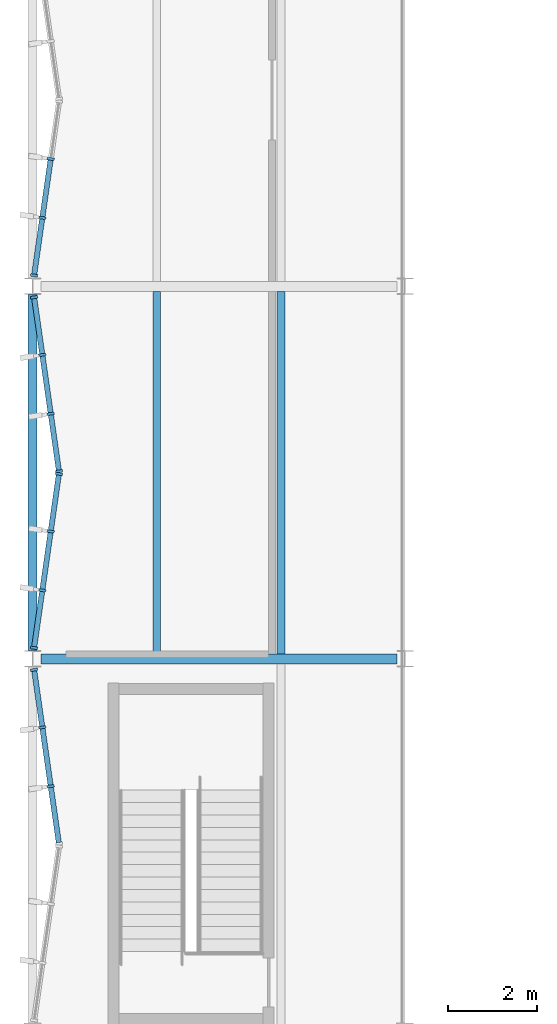
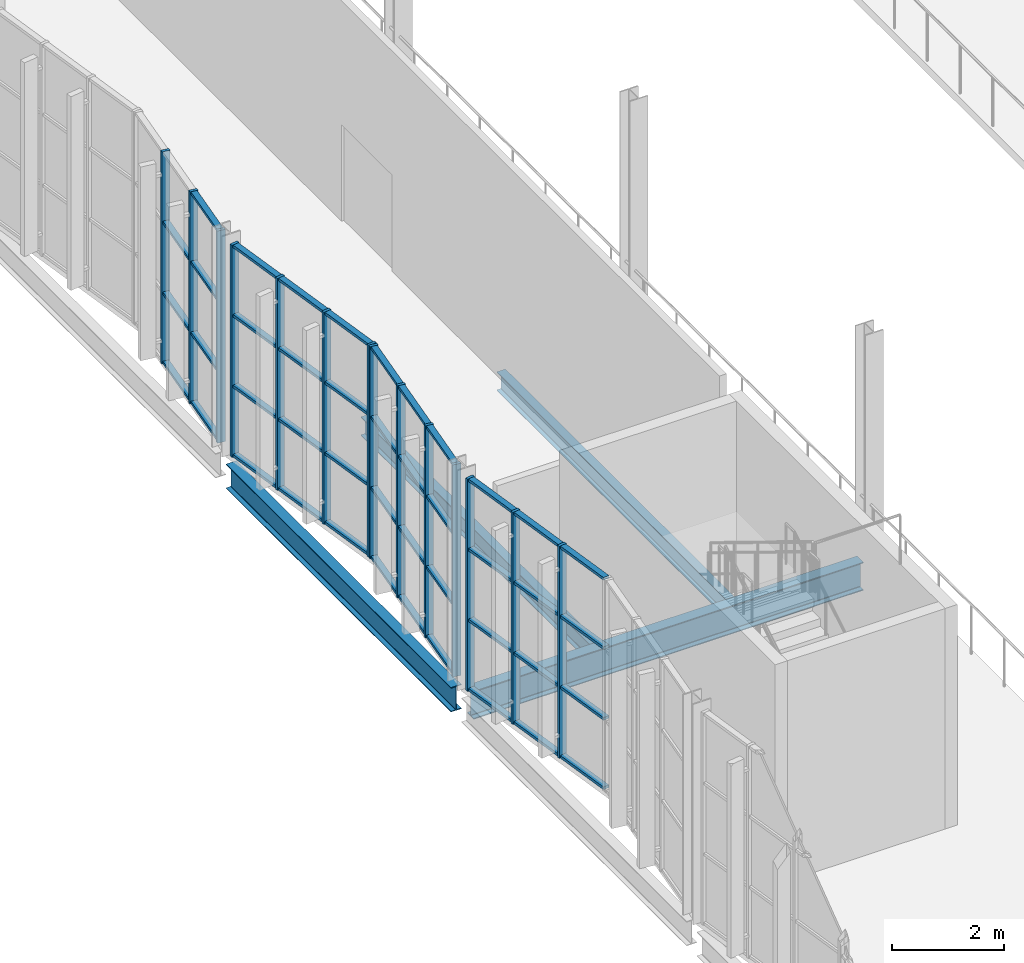
# One storey, part 30 of 127: 57 members, 4 beams, 4 elements without a shape of their own.
"""IFC4 building model written with IfcOpenShell, lengths in metres."""

from ifc_helpers import new_model, si_unit, direction, frame, origin, origin_2d, place, context, subcontext, project, spatial, rectangle, i_section, extrude, material, material_profile, profile_set, type_object, element, aggregate, save


model = new_model("IFC4")

# Units and contexts
model_context = context("Model", 3, precision=1e-05, world=origin(), true_north=direction((0.0, 1.0)))
body_context = subcontext(model_context, "Body", "Model", "MODEL_VIEW")
ifc_project = project(units=[si_unit("LENGTHUNIT", "METRE"), si_unit("AREAUNIT", "SQUARE_METRE"), si_unit("VOLUMEUNIT", "CUBIC_METRE"), si_unit("PLANEANGLEUNIT", "RADIAN"), si_unit("MASSUNIT", "GRAM", prefix="KILO")], contexts=[model_context])

# Site, building, storey
site_placement = place(None, origin())
site = spatial("IfcSite", under=ifc_project, at=site_placement, CompositionType="ELEMENT")
building_placement = place(site_placement, origin())
building = spatial("IfcBuilding", under=site, at=building_placement, Name="Ljudholm Concert House", CompositionType="ELEMENT")
storey_placement = place(building_placement, frame((0.0, 0.0, 5.39990234375)))
storey = spatial("IfcBuildingStorey", under=building, at=storey_placement, Name="L01", CompositionType="ELEMENT", Elevation=5.39990234375)

# Curtain wall, members
ifc_material_1 = material(Name="Aluminium curtain wall with impact-rated laminated glass", Category="aluminium")
curtain_wall_type = type_object("IfcCurtainWallType", Name="CURTAIN WALL 1400", PredefinedType="NOTDEFINED", material=ifc_material_1)
curtain_wall_1_placement = place(storey_placement, origin())
curtain_wall_1 = element("IfcCurtainWall", 1, at=curtain_wall_1_placement, inside=storey, type_object=curtain_wall_type, Name="Facade curtain wall", PredefinedType="NOTDEFINED")
ifc_material_2 = material(Name="Aluminium extrusion", Category="aluminium")
ifc_material_profile_1 = material_profile(ifc_material_2, rectangle(XDim=0.159912109375, YDim=0.06005859375, at=origin_2d()), Name="MULLION 60x160")
ifc_profile_set_1 = profile_set([ifc_material_profile_1], Name="Aluminium extrusion")
member_type_1 = type_object("IfcMemberType", Name="MULLION 60x160", PredefinedType="MULLION", material=ifc_profile_set_1)
member_1_placement = place(storey_placement, frame((4.410400390625, 68.327392578125, 0.0), z_axis=(0.0, 0.0, 1.0), x_axis=(-0.989949493647, -0.141421356338, 0.0)))
member_1 = element("IfcMember", 2, at=member_1_placement, type_object=member_type_1, Name="Mullion", PredefinedType="MULLION", context=body_context, shape_type="SweptSolid", body=[
    extrude(rectangle(XDim=0.159912109375, YDim=0.06005859375, at=origin_2d()), origin(), (0.0, 0.0, 1.0), 4.6201171875),
])
member_2_placement = place(storey_placement, frame((4.220703125, 69.65478515625, 0.0), z_axis=(0.0, 0.0, 1.0), x_axis=(-0.989949493647, -0.141421356338, 0.0)))
member_2 = element("IfcMember", 3, at=member_2_placement, type_object=member_type_1, Name="Mullion", PredefinedType="MULLION", context=body_context, shape_type="SweptSolid", body=[
    extrude(rectangle(XDim=0.159912109375, YDim=0.06005859375, at=origin_2d()), origin(), (0.0, 0.0, 1.0), 4.6201171875),
])
member_3_placement = place(storey_placement, frame((4.035400390625, 70.952392578125, 0.0), z_axis=(0.0, 0.0, 1.0), x_axis=(-0.989949493647, -0.141421356338, 0.0)))
member_3 = element("IfcMember", 4, at=member_3_placement, type_object=member_type_1, Name="Mullion", PredefinedType="MULLION", context=body_context, shape_type="SweptSolid", body=[
    extrude(rectangle(XDim=0.159912109375, YDim=0.06005859375, at=origin_2d()), origin(), (0.0, 0.0, 1.0), 4.6201171875),
])

curtain_wall_2_placement = place(storey_placement, origin())
curtain_wall_2 = element("IfcCurtainWall", 5, at=curtain_wall_2_placement, inside=storey, type_object=curtain_wall_type, Name="Facade curtain wall", PredefinedType="NOTDEFINED")
member_4_placement = place(storey_placement, frame((4.035400390625, 71.447509765625, 0.0), z_axis=(0.0, 0.0, 1.0), x_axis=(-0.989949493647, 0.141421356338, 0.0)))
member_4 = element("IfcMember", 6, at=member_4_placement, type_object=member_type_1, Name="Mullion", PredefinedType="MULLION", context=body_context, shape_type="SweptSolid", body=[
    extrude(rectangle(XDim=0.159912109375, YDim=0.06005859375, at=origin_2d()), origin(), (0.0, 0.0, 1.0), 4.6201171875),
])
member_5_placement = place(storey_placement, frame((4.220703125, 72.7451171875, 0.0), z_axis=(0.0, 0.0, 1.0), x_axis=(-0.989949493647, 0.141421356338, 0.0)))
member_5 = element("IfcMember", 7, at=member_5_placement, type_object=member_type_1, Name="Mullion", PredefinedType="MULLION", context=body_context, shape_type="SweptSolid", body=[
    extrude(rectangle(XDim=0.159912109375, YDim=0.06005859375, at=origin_2d()), origin(), (0.0, 0.0, 1.0), 4.6201171875),
])
member_6_placement = place(storey_placement, frame((4.410400390625, 74.072509765625, 0.0), z_axis=(0.0, 0.0, 1.0), x_axis=(-0.989949493647, 0.141421356338, 0.0)))
member_6 = element("IfcMember", 8, at=member_6_placement, type_object=member_type_1, Name="Mullion", PredefinedType="MULLION", context=body_context, shape_type="SweptSolid", body=[
    extrude(rectangle(XDim=0.159912109375, YDim=0.06005859375, at=origin_2d()), origin(), (0.0, 0.0, 1.0), 4.6201171875),
])
member_7_placement = place(storey_placement, frame((4.595703125, 75.370361328125, 0.0), z_axis=(0.0, 0.0, 1.0), x_axis=(-0.989949493647, 0.141421356338, 0.0)))
member_7 = element("IfcMember", 9, at=member_7_placement, type_object=member_type_1, Name="Mullion", PredefinedType="MULLION", context=body_context, shape_type="SweptSolid", body=[
    extrude(rectangle(XDim=0.159912109375, YDim=0.06005859375, at=origin_2d()), origin(), (0.0, 0.0, 1.0), 4.6201171875),
])

curtain_wall_3_placement = place(storey_placement, origin())
curtain_wall_3 = element("IfcCurtainWall", 10, at=curtain_wall_3_placement, inside=storey, type_object=curtain_wall_type, Name="Facade curtain wall", PredefinedType="NOTDEFINED")
member_8_placement = place(storey_placement, frame((4.595703125, 75.4296875, 0.0), z_axis=(0.0, 0.0, 1.0), x_axis=(-0.989949493647, -0.141421356338, 0.0)))
member_8 = element("IfcMember", 11, at=member_8_placement, type_object=member_type_1, Name="Mullion", PredefinedType="MULLION", context=body_context, shape_type="SweptSolid", body=[
    extrude(rectangle(XDim=0.159912109375, YDim=0.06005859375, at=origin_2d()), origin(), (0.0, 0.0, 1.0), 4.6201171875),
])
member_9_placement = place(storey_placement, frame((4.410400390625, 76.727294921875, 0.0), z_axis=(0.0, 0.0, 1.0), x_axis=(-0.989949493647, -0.141421356338, 0.0)))
member_9 = element("IfcMember", 12, at=member_9_placement, type_object=member_type_1, Name="Mullion", PredefinedType="MULLION", context=body_context, shape_type="SweptSolid", body=[
    extrude(rectangle(XDim=0.159912109375, YDim=0.06005859375, at=origin_2d()), origin(), (0.0, 0.0, 1.0), 4.6201171875),
])
member_10_placement = place(storey_placement, frame((4.220703125, 78.0546875, 0.0), z_axis=(0.0, 0.0, 1.0), x_axis=(-0.989949493647, -0.141421356338, 0.0)))
member_10 = element("IfcMember", 13, at=member_10_placement, type_object=member_type_1, Name="Mullion", PredefinedType="MULLION", context=body_context, shape_type="SweptSolid", body=[
    extrude(rectangle(XDim=0.159912109375, YDim=0.06005859375, at=origin_2d()), origin(), (0.0, 0.0, 1.0), 4.6201171875),
])
member_11_placement = place(storey_placement, frame((4.035400390625, 79.3525390625, 0.0), z_axis=(0.0, 0.0, 1.0), x_axis=(-0.989949493647, -0.141421356338, 0.0)))
member_11 = element("IfcMember", 14, at=member_11_placement, type_object=member_type_1, Name="Mullion", PredefinedType="MULLION", context=body_context, shape_type="SweptSolid", body=[
    extrude(rectangle(XDim=0.159912109375, YDim=0.06005859375, at=origin_2d()), origin(), (0.0, 0.0, 1.0), 4.6201171875),
])

curtain_wall_4_placement = place(storey_placement, origin())
curtain_wall_4 = element("IfcCurtainWall", 15, at=curtain_wall_4_placement, inside=storey, type_object=curtain_wall_type, Name="Facade curtain wall", PredefinedType="NOTDEFINED")
member_12_placement = place(storey_placement, frame((4.035400390625, 79.847412109375, 0.0), z_axis=(0.0, 0.0, 1.0), x_axis=(-0.989949493647, 0.141421356338, 0.0)))
member_12 = element("IfcMember", 16, at=member_12_placement, type_object=member_type_1, Name="Mullion", PredefinedType="MULLION", context=body_context, shape_type="SweptSolid", body=[
    extrude(rectangle(XDim=0.159912109375, YDim=0.06005859375, at=origin_2d()), origin(), (0.0, 0.0, 1.0), 4.6201171875),
])
member_13_placement = place(storey_placement, frame((4.220703125, 81.145263671875, 0.0), z_axis=(0.0, 0.0, 1.0), x_axis=(-0.989949493647, 0.141421356338, 0.0)))
member_13 = element("IfcMember", 17, at=member_13_placement, type_object=member_type_1, Name="Mullion", PredefinedType="MULLION", context=body_context, shape_type="SweptSolid", body=[
    extrude(rectangle(XDim=0.159912109375, YDim=0.06005859375, at=origin_2d()), origin(), (0.0, 0.0, 1.0), 4.6201171875),
])
member_14_placement = place(storey_placement, frame((4.410400390625, 82.47265625, 0.0), z_axis=(0.0, 0.0, 1.0), x_axis=(-0.989949493647, 0.141421356338, 0.0)))
member_14 = element("IfcMember", 18, at=member_14_placement, type_object=member_type_1, Name="Mullion", PredefinedType="MULLION", context=body_context, shape_type="SweptSolid", body=[
    extrude(rectangle(XDim=0.159912109375, YDim=0.06005859375, at=origin_2d()), origin(), (0.0, 0.0, 1.0), 4.6201171875),
])

# Beams
ifc_material_3 = material(Name="Steel ASTM A992", Category="steel")
ifc_material_profile_2 = material_profile(ifc_material_3, i_section(OverallWidth=0.177734375, OverallDepth=0.406494140625, WebThickness=0.0078125, FlangeThickness=0.012939453125, FilletRadius=0.01025390625, at=origin_2d()), Name="W16X40")
ifc_profile_set_2 = profile_set([ifc_material_profile_2], Name="Steel ASTM A992")
beam_type_1 = type_object("IfcBeamType", Name="STEEL BEAM W16X40", PredefinedType="BEAM", material=ifc_profile_set_2)
for number, where, z_axis, x_axis, name in (
    (19, (6.800048828125, 71.314453125, -0.383056640625), (0.0, 1.0, 0.0), (-1.0, 0.0, 0.0), "Secondary beam"),
    (20, (9.60009765625, 71.314453125, -0.383056640625), (0.0, 1.0, 0.0), (-1.0, 0.0, 0.0), "Secondary beam"),
):
    element("IfcBeam", number, at=place(storey_placement, frame(where, z_axis=z_axis, x_axis=x_axis)), inside=storey, type_object=beam_type_1, Name=name, PredefinedType="BEAM", context=body_context, shape_type="SweptSolid", body=[
        extrude(i_section(OverallWidth=0.177734375, OverallDepth=0.406494140625, WebThickness=0.0078125, FlangeThickness=0.012939453125, FilletRadius=0.01025390625, at=origin_2d()), origin(), (0.0, 0.0, 1.0), 8.1708984375),
    ])
ifc_material_4 = material(Name="Steel ASTM A992", Category="steel")
ifc_material_profile_3 = material_profile(ifc_material_4, i_section(OverallWidth=0.209228515625, OverallDepth=0.533447265625, WebThickness=0.01025390625, FlangeThickness=0.015625, FilletRadius=0.012939453125, at=origin_2d()), Name="W21X62")
ifc_profile_set_3 = profile_set([ifc_material_profile_3], Name="Steel ASTM A992")
beam_type_2 = type_object("IfcBeamType", Name="STEEL BEAM W21X62", PredefinedType="BEAM", material=ifc_profile_set_3)
beam_1_placement = place(storey_placement, frame((4.0, 71.38671875, -0.446533203125), z_axis=(0.0, 1.0, 0.0), x_axis=(-1.0, 0.0, 0.0)))
element("IfcBeam", 21, at=beam_1_placement, inside=storey, type_object=beam_type_2, Name="Floor edge beam", PredefinedType="BEAM", context=body_context, shape_type="SweptSolid", body=[
    extrude(i_section(OverallWidth=0.209228515625, OverallDepth=0.533447265625, WebThickness=0.01025390625, FlangeThickness=0.015625, FilletRadius=0.012939453125, at=origin_2d()), origin(), (0.0, 0.0, 1.0), 8.026611328125),
])
ifc_material_5 = material(Name="Steel ASTM A992", Category="steel")
ifc_material_profile_4 = material_profile(ifc_material_5, i_section(OverallWidth=0.22900390625, OverallDepth=0.612060546875, WebThickness=0.011962890625, FlangeThickness=0.01953125, FilletRadius=0.0126953125, at=origin_2d()), Name="W24X84")
ifc_profile_set_4 = profile_set([ifc_material_profile_4], Name="Steel ASTM A992")
beam_type_3 = type_object("IfcBeamType", Name="STEEL BEAM W24X84", PredefinedType="BEAM", material=ifc_profile_set_4)
beam_2_placement = place(storey_placement, frame((4.186767578125, 71.199951171875, -0.486083984375), z_axis=(1.0, 0.0, 0.0), x_axis=(0.0, 1.0, 0.0)))
element("IfcBeam", 22, at=beam_2_placement, inside=storey, type_object=beam_type_3, Name="Floor girder", PredefinedType="BEAM", context=body_context, shape_type="SweptSolid", body=[
    extrude(i_section(OverallWidth=0.22900390625, OverallDepth=0.612060546875, WebThickness=0.011962890625, FlangeThickness=0.01953125, FilletRadius=0.0126953125, at=origin_2d()), origin(), (0.0, 0.0, 1.0), 8.026611328125),
])

# Member
ifc_material_6 = material(Name="Aluminium extrusion", Category="aluminium")
ifc_material_profile_5 = material_profile(ifc_material_6, rectangle(XDim=0.1201171875, YDim=0.06005859375, at=origin_2d()), Name="TRANSOM 60x120")
ifc_profile_set_5 = profile_set([ifc_material_profile_5], Name="Aluminium extrusion")
member_type_2 = type_object("IfcMemberType", Name="TRANSOM 60x120", PredefinedType="USERDEFINED", material=ifc_profile_set_5)
member_15_placement = place(storey_placement, frame((4.591552734375, 67.059326171875, 0.030029296875), z_axis=(-0.141503330095, 0.989937779647, 0.0), x_axis=(-0.989937779647, -0.141503330095, 0.0)))
member_15 = element("IfcMember", 23, at=member_15_placement, type_object=member_type_2, Name="Transom", ObjectType="TRANSOM", PredefinedType="USERDEFINED", context=body_context, shape_type="SweptSolid", body=[
    extrude(rectangle(XDim=0.1201171875, YDim=0.06005859375, at=origin_2d()), origin(), (0.0, 0.0, 1.0), 1.2509765625),
])

member_16_placement = place(storey_placement, frame((4.591552734375, 67.059326171875, 1.5400390625), z_axis=(-0.141503330095, 0.989937779647, 0.0), x_axis=(-0.989937779647, -0.141503330095, 0.0)))
member_16 = element("IfcMember", 24, at=member_16_placement, type_object=member_type_2, Name="Transom", ObjectType="TRANSOM", PredefinedType="USERDEFINED", context=body_context, shape_type="SweptSolid", body=[
    extrude(rectangle(XDim=0.1201171875, YDim=0.06005859375, at=origin_2d()), origin(), (0.0, 0.0, 1.0), 1.2509765625),
])

member_17_placement = place(storey_placement, frame((4.591552734375, 67.059326171875, 3.080078125), z_axis=(-0.141503330095, 0.989937779647, 0.0), x_axis=(-0.989937779647, -0.141503330095, 0.0)))
member_17 = element("IfcMember", 25, at=member_17_placement, type_object=member_type_2, Name="Transom", ObjectType="TRANSOM", PredefinedType="USERDEFINED", context=body_context, shape_type="SweptSolid", body=[
    extrude(rectangle(XDim=0.1201171875, YDim=0.06005859375, at=origin_2d()), origin(), (0.0, 0.0, 1.0), 1.2509765625),
])

member_18_placement = place(storey_placement, frame((4.591552734375, 67.059326171875, 4.590087890625), z_axis=(-0.141503330095, 0.989937779647, 0.0), x_axis=(-0.989937779647, -0.141503330095, 0.0)))
member_18 = element("IfcMember", 26, at=member_18_placement, type_object=member_type_2, Name="Transom", ObjectType="TRANSOM", PredefinedType="USERDEFINED", context=body_context, shape_type="SweptSolid", body=[
    extrude(rectangle(XDim=0.1201171875, YDim=0.06005859375, at=origin_2d()), origin(), (0.0, 0.0, 1.0), 1.2509765625),
])

member_19_placement = place(storey_placement, frame((4.40625, 68.357177734375, 0.030029296875), z_axis=(-0.141448044496, 0.989945680686, 0.0), x_axis=(-0.989945680686, -0.141448044496, 0.0)))
member_19 = element("IfcMember", 27, at=member_19_placement, type_object=member_type_2, Name="Transom", ObjectType="TRANSOM", PredefinedType="USERDEFINED", context=body_context, shape_type="SweptSolid", body=[
    extrude(rectangle(XDim=0.1201171875, YDim=0.06005859375, at=origin_2d()), origin(), (0.0, 0.0, 1.0), 1.28076171875),
])

member_20_placement = place(storey_placement, frame((4.40625, 68.357177734375, 1.5400390625), z_axis=(-0.141448044496, 0.989945680686, 0.0), x_axis=(-0.989945680686, -0.141448044496, 0.0)))
member_20 = element("IfcMember", 28, at=member_20_placement, type_object=member_type_2, Name="Transom", ObjectType="TRANSOM", PredefinedType="USERDEFINED", context=body_context, shape_type="SweptSolid", body=[
    extrude(rectangle(XDim=0.1201171875, YDim=0.06005859375, at=origin_2d()), origin(), (0.0, 0.0, 1.0), 1.28076171875),
])

member_21_placement = place(storey_placement, frame((4.40625, 68.357177734375, 3.080078125), z_axis=(-0.141448044496, 0.989945680686, 0.0), x_axis=(-0.989945680686, -0.141448044496, 0.0)))
member_21 = element("IfcMember", 29, at=member_21_placement, type_object=member_type_2, Name="Transom", ObjectType="TRANSOM", PredefinedType="USERDEFINED", context=body_context, shape_type="SweptSolid", body=[
    extrude(rectangle(XDim=0.1201171875, YDim=0.06005859375, at=origin_2d()), origin(), (0.0, 0.0, 1.0), 1.28076171875),
])

member_22_placement = place(storey_placement, frame((4.40625, 68.357177734375, 4.590087890625), z_axis=(-0.141448044496, 0.989945680686, 0.0), x_axis=(-0.989945680686, -0.141448044496, 0.0)))
member_22 = element("IfcMember", 30, at=member_22_placement, type_object=member_type_2, Name="Transom", ObjectType="TRANSOM", PredefinedType="USERDEFINED", context=body_context, shape_type="SweptSolid", body=[
    extrude(rectangle(XDim=0.1201171875, YDim=0.06005859375, at=origin_2d()), origin(), (0.0, 0.0, 1.0), 1.28076171875),
])

member_23_placement = place(storey_placement, frame((4.216552734375, 69.6845703125, 0.030029296875), z_axis=(-0.141503330095, 0.989937779647, 0.0), x_axis=(-0.989937779647, -0.141503330095, 0.0)))
member_23 = element("IfcMember", 31, at=member_23_placement, type_object=member_type_2, Name="Transom", ObjectType="TRANSOM", PredefinedType="USERDEFINED", context=body_context, shape_type="SweptSolid", body=[
    extrude(rectangle(XDim=0.1201171875, YDim=0.06005859375, at=origin_2d()), origin(), (0.0, 0.0, 1.0), 1.2509765625),
])

member_24_placement = place(storey_placement, frame((4.216552734375, 69.6845703125, 1.5400390625), z_axis=(-0.141503330095, 0.989937779647, 0.0), x_axis=(-0.989937779647, -0.141503330095, 0.0)))
member_24 = element("IfcMember", 32, at=member_24_placement, type_object=member_type_2, Name="Transom", ObjectType="TRANSOM", PredefinedType="USERDEFINED", context=body_context, shape_type="SweptSolid", body=[
    extrude(rectangle(XDim=0.1201171875, YDim=0.06005859375, at=origin_2d()), origin(), (0.0, 0.0, 1.0), 1.2509765625),
])

member_25_placement = place(storey_placement, frame((4.216552734375, 69.6845703125, 3.080078125), z_axis=(-0.141503330095, 0.989937779647, 0.0), x_axis=(-0.989937779647, -0.141503330095, 0.0)))
member_25 = element("IfcMember", 33, at=member_25_placement, type_object=member_type_2, Name="Transom", ObjectType="TRANSOM", PredefinedType="USERDEFINED", context=body_context, shape_type="SweptSolid", body=[
    extrude(rectangle(XDim=0.1201171875, YDim=0.06005859375, at=origin_2d()), origin(), (0.0, 0.0, 1.0), 1.2509765625),
])

member_26_placement = place(storey_placement, frame((4.216552734375, 69.6845703125, 4.590087890625), z_axis=(-0.141503330095, 0.989937779647, 0.0), x_axis=(-0.989937779647, -0.141503330095, 0.0)))
member_26 = element("IfcMember", 34, at=member_26_placement, type_object=member_type_2, Name="Transom", ObjectType="TRANSOM", PredefinedType="USERDEFINED", context=body_context, shape_type="SweptSolid", body=[
    extrude(rectangle(XDim=0.1201171875, YDim=0.06005859375, at=origin_2d()), origin(), (0.0, 0.0, 1.0), 1.2509765625),
])

aggregate(curtain_wall_1, [member_1, member_2, member_3, member_15, member_16, member_17, member_18, member_19, member_20, member_21, member_22, member_23, member_24, member_25, member_26])

member_27_placement = place(storey_placement, frame((4.03955078125, 71.477294921875, 0.030029296875), z_axis=(0.141503330095, 0.989937779647, 0.0), x_axis=(-0.989937779647, 0.141503330095, 0.0)))
member_27 = element("IfcMember", 35, at=member_27_placement, type_object=member_type_2, Name="Transom", ObjectType="TRANSOM", PredefinedType="USERDEFINED", context=body_context, shape_type="SweptSolid", body=[
    extrude(rectangle(XDim=0.1201171875, YDim=0.06005859375, at=origin_2d()), origin(), (0.0, 0.0, 1.0), 1.2509765625),
])

member_28_placement = place(storey_placement, frame((4.03955078125, 71.477294921875, 1.5400390625), z_axis=(0.141503330095, 0.989937779647, 0.0), x_axis=(-0.989937779647, 0.141503330095, 0.0)))
member_28 = element("IfcMember", 36, at=member_28_placement, type_object=member_type_2, Name="Transom", ObjectType="TRANSOM", PredefinedType="USERDEFINED", context=body_context, shape_type="SweptSolid", body=[
    extrude(rectangle(XDim=0.1201171875, YDim=0.06005859375, at=origin_2d()), origin(), (0.0, 0.0, 1.0), 1.2509765625),
])

member_29_placement = place(storey_placement, frame((4.03955078125, 71.477294921875, 3.080078125), z_axis=(0.141503330095, 0.989937779647, 0.0), x_axis=(-0.989937779647, 0.141503330095, 0.0)))
member_29 = element("IfcMember", 37, at=member_29_placement, type_object=member_type_2, Name="Transom", ObjectType="TRANSOM", PredefinedType="USERDEFINED", context=body_context, shape_type="SweptSolid", body=[
    extrude(rectangle(XDim=0.1201171875, YDim=0.06005859375, at=origin_2d()), origin(), (0.0, 0.0, 1.0), 1.2509765625),
])

member_30_placement = place(storey_placement, frame((4.03955078125, 71.477294921875, 4.590087890625), z_axis=(0.141503330095, 0.989937779647, 0.0), x_axis=(-0.989937779647, 0.141503330095, 0.0)))
member_30 = element("IfcMember", 38, at=member_30_placement, type_object=member_type_2, Name="Transom", ObjectType="TRANSOM", PredefinedType="USERDEFINED", context=body_context, shape_type="SweptSolid", body=[
    extrude(rectangle(XDim=0.1201171875, YDim=0.06005859375, at=origin_2d()), origin(), (0.0, 0.0, 1.0), 1.2509765625),
])

member_31_placement = place(storey_placement, frame((4.22509765625, 72.77490234375, 0.030029296875), z_axis=(0.141421356237, 0.989949493661, 0.0), x_axis=(-0.989949493661, 0.141421356237, 0.0)))
member_31 = element("IfcMember", 39, at=member_31_placement, type_object=member_type_2, Name="Transom", ObjectType="TRANSOM", PredefinedType="USERDEFINED", context=body_context, shape_type="SweptSolid", body=[
    extrude(rectangle(XDim=0.1201171875, YDim=0.06005859375, at=origin_2d()), origin(), (0.0, 0.0, 1.0), 1.281005859375),
])

member_32_placement = place(storey_placement, frame((4.22509765625, 72.77490234375, 1.5400390625), z_axis=(0.141421356237, 0.989949493661, 0.0), x_axis=(-0.989949493661, 0.141421356237, 0.0)))
member_32 = element("IfcMember", 40, at=member_32_placement, type_object=member_type_2, Name="Transom", ObjectType="TRANSOM", PredefinedType="USERDEFINED", context=body_context, shape_type="SweptSolid", body=[
    extrude(rectangle(XDim=0.1201171875, YDim=0.06005859375, at=origin_2d()), origin(), (0.0, 0.0, 1.0), 1.281005859375),
])

member_33_placement = place(storey_placement, frame((4.22509765625, 72.77490234375, 3.080078125), z_axis=(0.141421356237, 0.989949493661, 0.0), x_axis=(-0.989949493661, 0.141421356237, 0.0)))
member_33 = element("IfcMember", 41, at=member_33_placement, type_object=member_type_2, Name="Transom", ObjectType="TRANSOM", PredefinedType="USERDEFINED", context=body_context, shape_type="SweptSolid", body=[
    extrude(rectangle(XDim=0.1201171875, YDim=0.06005859375, at=origin_2d()), origin(), (0.0, 0.0, 1.0), 1.281005859375),
])

member_34_placement = place(storey_placement, frame((4.22509765625, 72.77490234375, 4.590087890625), z_axis=(0.141421356237, 0.989949493661, 0.0), x_axis=(-0.989949493661, 0.141421356237, 0.0)))
member_34 = element("IfcMember", 42, at=member_34_placement, type_object=member_type_2, Name="Transom", ObjectType="TRANSOM", PredefinedType="USERDEFINED", context=body_context, shape_type="SweptSolid", body=[
    extrude(rectangle(XDim=0.1201171875, YDim=0.06005859375, at=origin_2d()), origin(), (0.0, 0.0, 1.0), 1.281005859375),
])

member_35_placement = place(storey_placement, frame((4.41455078125, 74.102294921875, 0.030029296875), z_axis=(0.141503330095, 0.989937779647, 0.0), x_axis=(-0.989937779647, 0.141503330095, 0.0)))
member_35 = element("IfcMember", 43, at=member_35_placement, type_object=member_type_2, Name="Transom", ObjectType="TRANSOM", PredefinedType="USERDEFINED", context=body_context, shape_type="SweptSolid", body=[
    extrude(rectangle(XDim=0.1201171875, YDim=0.06005859375, at=origin_2d()), origin(), (0.0, 0.0, 1.0), 1.2509765625),
])

member_36_placement = place(storey_placement, frame((4.41455078125, 74.102294921875, 1.5400390625), z_axis=(0.141503330095, 0.989937779647, 0.0), x_axis=(-0.989937779647, 0.141503330095, 0.0)))
member_36 = element("IfcMember", 44, at=member_36_placement, type_object=member_type_2, Name="Transom", ObjectType="TRANSOM", PredefinedType="USERDEFINED", context=body_context, shape_type="SweptSolid", body=[
    extrude(rectangle(XDim=0.1201171875, YDim=0.06005859375, at=origin_2d()), origin(), (0.0, 0.0, 1.0), 1.2509765625),
])

member_37_placement = place(storey_placement, frame((4.41455078125, 74.102294921875, 3.080078125), z_axis=(0.141503330095, 0.989937779647, 0.0), x_axis=(-0.989937779647, 0.141503330095, 0.0)))
member_37 = element("IfcMember", 45, at=member_37_placement, type_object=member_type_2, Name="Transom", ObjectType="TRANSOM", PredefinedType="USERDEFINED", context=body_context, shape_type="SweptSolid", body=[
    extrude(rectangle(XDim=0.1201171875, YDim=0.06005859375, at=origin_2d()), origin(), (0.0, 0.0, 1.0), 1.2509765625),
])

member_38_placement = place(storey_placement, frame((4.41455078125, 74.102294921875, 4.590087890625), z_axis=(0.141503330095, 0.989937779647, 0.0), x_axis=(-0.989937779647, 0.141503330095, 0.0)))
member_38 = element("IfcMember", 46, at=member_38_placement, type_object=member_type_2, Name="Transom", ObjectType="TRANSOM", PredefinedType="USERDEFINED", context=body_context, shape_type="SweptSolid", body=[
    extrude(rectangle(XDim=0.1201171875, YDim=0.06005859375, at=origin_2d()), origin(), (0.0, 0.0, 1.0), 1.2509765625),
])

aggregate(curtain_wall_2, [member_4, member_5, member_6, member_7, member_27, member_28, member_29, member_30, member_31, member_32, member_33, member_34, member_35, member_36, member_37, member_38])

member_39_placement = place(storey_placement, frame((4.591552734375, 75.45947265625, 0.030029296875), z_axis=(-0.141503330095, 0.989937779647, 0.0), x_axis=(-0.989937779647, -0.141503330095, 0.0)))
member_39 = element("IfcMember", 47, at=member_39_placement, type_object=member_type_2, Name="Transom", ObjectType="TRANSOM", PredefinedType="USERDEFINED", context=body_context, shape_type="SweptSolid", body=[
    extrude(rectangle(XDim=0.1201171875, YDim=0.06005859375, at=origin_2d()), origin(), (0.0, 0.0, 1.0), 1.2509765625),
])

member_40_placement = place(storey_placement, frame((4.591552734375, 75.45947265625, 1.5400390625), z_axis=(-0.141503330095, 0.989937779647, 0.0), x_axis=(-0.989937779647, -0.141503330095, 0.0)))
member_40 = element("IfcMember", 48, at=member_40_placement, type_object=member_type_2, Name="Transom", ObjectType="TRANSOM", PredefinedType="USERDEFINED", context=body_context, shape_type="SweptSolid", body=[
    extrude(rectangle(XDim=0.1201171875, YDim=0.06005859375, at=origin_2d()), origin(), (0.0, 0.0, 1.0), 1.2509765625),
])

member_41_placement = place(storey_placement, frame((4.591552734375, 75.45947265625, 3.080078125), z_axis=(-0.141503330095, 0.989937779647, 0.0), x_axis=(-0.989937779647, -0.141503330095, 0.0)))
member_41 = element("IfcMember", 49, at=member_41_placement, type_object=member_type_2, Name="Transom", ObjectType="TRANSOM", PredefinedType="USERDEFINED", context=body_context, shape_type="SweptSolid", body=[
    extrude(rectangle(XDim=0.1201171875, YDim=0.06005859375, at=origin_2d()), origin(), (0.0, 0.0, 1.0), 1.2509765625),
])

member_42_placement = place(storey_placement, frame((4.591552734375, 75.45947265625, 4.590087890625), z_axis=(-0.141503330095, 0.989937779647, 0.0), x_axis=(-0.989937779647, -0.141503330095, 0.0)))
member_42 = element("IfcMember", 50, at=member_42_placement, type_object=member_type_2, Name="Transom", ObjectType="TRANSOM", PredefinedType="USERDEFINED", context=body_context, shape_type="SweptSolid", body=[
    extrude(rectangle(XDim=0.1201171875, YDim=0.06005859375, at=origin_2d()), origin(), (0.0, 0.0, 1.0), 1.2509765625),
])

member_43_placement = place(storey_placement, frame((4.40625, 76.757080078125, 0.030029296875), z_axis=(-0.141421356237, 0.989949493661, 0.0), x_axis=(-0.989949493661, -0.141421356237, 0.0)))
member_43 = element("IfcMember", 51, at=member_43_placement, type_object=member_type_2, Name="Transom", ObjectType="TRANSOM", PredefinedType="USERDEFINED", context=body_context, shape_type="SweptSolid", body=[
    extrude(rectangle(XDim=0.1201171875, YDim=0.06005859375, at=origin_2d()), origin(), (0.0, 0.0, 1.0), 1.281005859375),
])

member_44_placement = place(storey_placement, frame((4.40625, 76.757080078125, 1.5400390625), z_axis=(-0.141421356237, 0.989949493661, 0.0), x_axis=(-0.989949493661, -0.141421356237, 0.0)))
member_44 = element("IfcMember", 52, at=member_44_placement, type_object=member_type_2, Name="Transom", ObjectType="TRANSOM", PredefinedType="USERDEFINED", context=body_context, shape_type="SweptSolid", body=[
    extrude(rectangle(XDim=0.1201171875, YDim=0.06005859375, at=origin_2d()), origin(), (0.0, 0.0, 1.0), 1.281005859375),
])

member_45_placement = place(storey_placement, frame((4.40625, 76.757080078125, 3.080078125), z_axis=(-0.141421356237, 0.989949493661, 0.0), x_axis=(-0.989949493661, -0.141421356237, 0.0)))
member_45 = element("IfcMember", 53, at=member_45_placement, type_object=member_type_2, Name="Transom", ObjectType="TRANSOM", PredefinedType="USERDEFINED", context=body_context, shape_type="SweptSolid", body=[
    extrude(rectangle(XDim=0.1201171875, YDim=0.06005859375, at=origin_2d()), origin(), (0.0, 0.0, 1.0), 1.281005859375),
])

member_46_placement = place(storey_placement, frame((4.40625, 76.757080078125, 4.590087890625), z_axis=(-0.141421356237, 0.989949493661, 0.0), x_axis=(-0.989949493661, -0.141421356237, 0.0)))
member_46 = element("IfcMember", 54, at=member_46_placement, type_object=member_type_2, Name="Transom", ObjectType="TRANSOM", PredefinedType="USERDEFINED", context=body_context, shape_type="SweptSolid", body=[
    extrude(rectangle(XDim=0.1201171875, YDim=0.06005859375, at=origin_2d()), origin(), (0.0, 0.0, 1.0), 1.281005859375),
])

member_47_placement = place(storey_placement, frame((4.216552734375, 78.08447265625, 0.030029296875), z_axis=(-0.141503330095, 0.989937779647, 0.0), x_axis=(-0.989937779647, -0.141503330095, 0.0)))
member_47 = element("IfcMember", 55, at=member_47_placement, type_object=member_type_2, Name="Transom", ObjectType="TRANSOM", PredefinedType="USERDEFINED", context=body_context, shape_type="SweptSolid", body=[
    extrude(rectangle(XDim=0.1201171875, YDim=0.06005859375, at=origin_2d()), origin(), (0.0, 0.0, 1.0), 1.2509765625),
])

member_48_placement = place(storey_placement, frame((4.216552734375, 78.08447265625, 1.5400390625), z_axis=(-0.141503330095, 0.989937779647, 0.0), x_axis=(-0.989937779647, -0.141503330095, 0.0)))
member_48 = element("IfcMember", 56, at=member_48_placement, type_object=member_type_2, Name="Transom", ObjectType="TRANSOM", PredefinedType="USERDEFINED", context=body_context, shape_type="SweptSolid", body=[
    extrude(rectangle(XDim=0.1201171875, YDim=0.06005859375, at=origin_2d()), origin(), (0.0, 0.0, 1.0), 1.2509765625),
])

member_49_placement = place(storey_placement, frame((4.216552734375, 78.08447265625, 3.080078125), z_axis=(-0.141503330095, 0.989937779647, 0.0), x_axis=(-0.989937779647, -0.141503330095, 0.0)))
member_49 = element("IfcMember", 57, at=member_49_placement, type_object=member_type_2, Name="Transom", ObjectType="TRANSOM", PredefinedType="USERDEFINED", context=body_context, shape_type="SweptSolid", body=[
    extrude(rectangle(XDim=0.1201171875, YDim=0.06005859375, at=origin_2d()), origin(), (0.0, 0.0, 1.0), 1.2509765625),
])

member_50_placement = place(storey_placement, frame((4.216552734375, 78.08447265625, 4.590087890625), z_axis=(-0.141503330095, 0.989937779647, 0.0), x_axis=(-0.989937779647, -0.141503330095, 0.0)))
member_50 = element("IfcMember", 58, at=member_50_placement, type_object=member_type_2, Name="Transom", ObjectType="TRANSOM", PredefinedType="USERDEFINED", context=body_context, shape_type="SweptSolid", body=[
    extrude(rectangle(XDim=0.1201171875, YDim=0.06005859375, at=origin_2d()), origin(), (0.0, 0.0, 1.0), 1.2509765625),
])

aggregate(curtain_wall_3, [member_8, member_9, member_10, member_11, member_39, member_40, member_41, member_42, member_43, member_44, member_45, member_46, member_47, member_48, member_49, member_50])

member_51_placement = place(storey_placement, frame((4.03955078125, 79.877197265625, 0.030029296875), z_axis=(0.141503330095, 0.989937779647, 0.0), x_axis=(-0.989937779647, 0.141503330095, 0.0)))
member_51 = element("IfcMember", 59, at=member_51_placement, type_object=member_type_2, Name="Transom", ObjectType="TRANSOM", PredefinedType="USERDEFINED", context=body_context, shape_type="SweptSolid", body=[
    extrude(rectangle(XDim=0.1201171875, YDim=0.06005859375, at=origin_2d()), origin(), (0.0, 0.0, 1.0), 1.2509765625),
])

member_52_placement = place(storey_placement, frame((4.03955078125, 79.877197265625, 1.5400390625), z_axis=(0.141503330095, 0.989937779647, 0.0), x_axis=(-0.989937779647, 0.141503330095, 0.0)))
member_52 = element("IfcMember", 60, at=member_52_placement, type_object=member_type_2, Name="Transom", ObjectType="TRANSOM", PredefinedType="USERDEFINED", context=body_context, shape_type="SweptSolid", body=[
    extrude(rectangle(XDim=0.1201171875, YDim=0.06005859375, at=origin_2d()), origin(), (0.0, 0.0, 1.0), 1.2509765625),
])

member_53_placement = place(storey_placement, frame((4.03955078125, 79.877197265625, 3.080078125), z_axis=(0.141503330095, 0.989937779647, 0.0), x_axis=(-0.989937779647, 0.141503330095, 0.0)))
member_53 = element("IfcMember", 61, at=member_53_placement, type_object=member_type_2, Name="Transom", ObjectType="TRANSOM", PredefinedType="USERDEFINED", context=body_context, shape_type="SweptSolid", body=[
    extrude(rectangle(XDim=0.1201171875, YDim=0.06005859375, at=origin_2d()), origin(), (0.0, 0.0, 1.0), 1.2509765625),
])

member_54_placement = place(storey_placement, frame((4.03955078125, 79.877197265625, 4.590087890625), z_axis=(0.141503330095, 0.989937779647, 0.0), x_axis=(-0.989937779647, 0.141503330095, 0.0)))
member_54 = element("IfcMember", 62, at=member_54_placement, type_object=member_type_2, Name="Transom", ObjectType="TRANSOM", PredefinedType="USERDEFINED", context=body_context, shape_type="SweptSolid", body=[
    extrude(rectangle(XDim=0.1201171875, YDim=0.06005859375, at=origin_2d()), origin(), (0.0, 0.0, 1.0), 1.2509765625),
])

member_55_placement = place(storey_placement, frame((4.22509765625, 81.1748046875, 0.030029296875), z_axis=(0.141421356237, 0.989949493661, 0.0), x_axis=(-0.989949493661, 0.141421356237, 0.0)))
member_55 = element("IfcMember", 63, at=member_55_placement, type_object=member_type_2, Name="Transom", ObjectType="TRANSOM", PredefinedType="USERDEFINED", context=body_context, shape_type="SweptSolid", body=[
    extrude(rectangle(XDim=0.1201171875, YDim=0.06005859375, at=origin_2d()), origin(), (0.0, 0.0, 1.0), 1.281005859375),
])

member_56_placement = place(storey_placement, frame((4.22509765625, 81.1748046875, 1.5400390625), z_axis=(0.141421356237, 0.989949493661, 0.0), x_axis=(-0.989949493661, 0.141421356237, 0.0)))
member_56 = element("IfcMember", 64, at=member_56_placement, type_object=member_type_2, Name="Transom", ObjectType="TRANSOM", PredefinedType="USERDEFINED", context=body_context, shape_type="SweptSolid", body=[
    extrude(rectangle(XDim=0.1201171875, YDim=0.06005859375, at=origin_2d()), origin(), (0.0, 0.0, 1.0), 1.281005859375),
])

member_57_placement = place(storey_placement, frame((4.22509765625, 81.1748046875, 3.080078125), z_axis=(0.141421356237, 0.989949493661, 0.0), x_axis=(-0.989949493661, 0.141421356237, 0.0)))
member_57 = element("IfcMember", 65, at=member_57_placement, type_object=member_type_2, Name="Transom", ObjectType="TRANSOM", PredefinedType="USERDEFINED", context=body_context, shape_type="SweptSolid", body=[
    extrude(rectangle(XDim=0.1201171875, YDim=0.06005859375, at=origin_2d()), origin(), (0.0, 0.0, 1.0), 1.281005859375),
])

aggregate(curtain_wall_4, [member_12, member_13, member_14, member_51, member_52, member_53, member_54, member_55, member_56, member_57])

save(model, "model.ifc")
